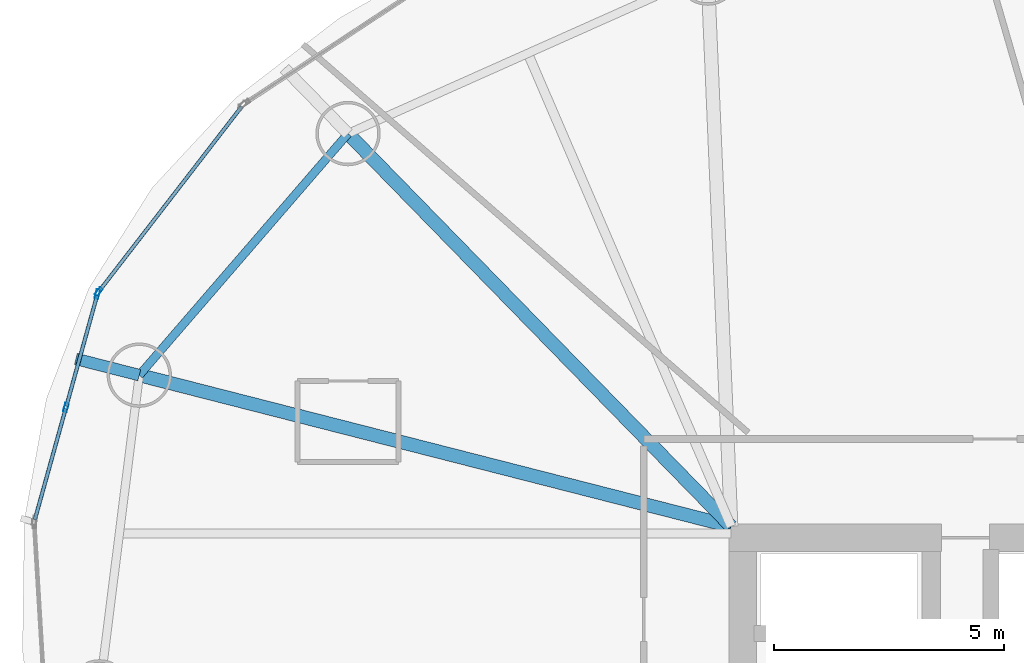
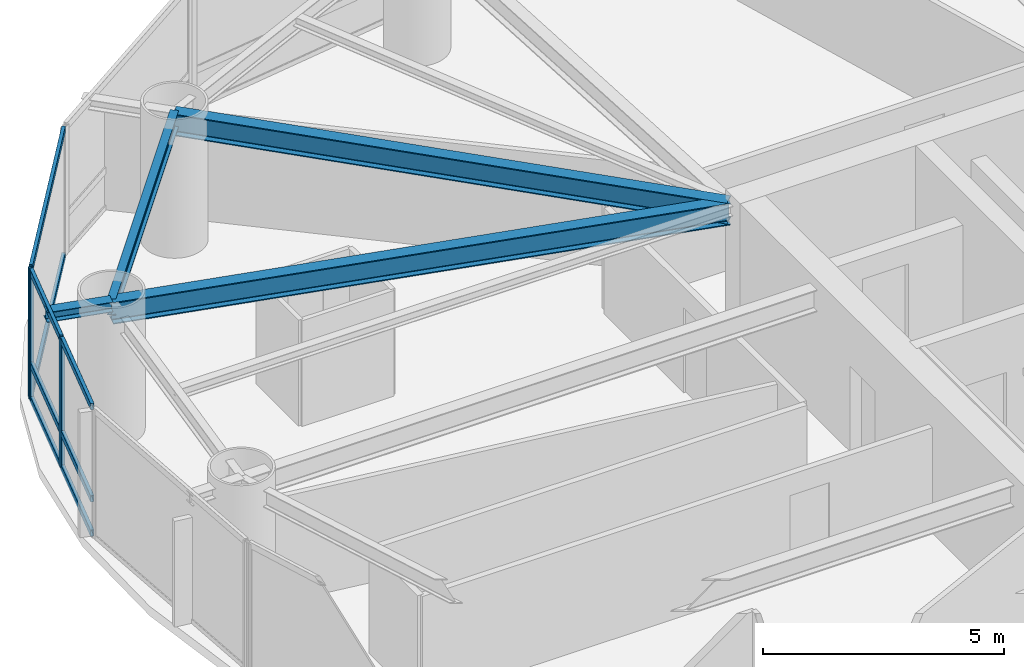
# One storey, part 11 of 22: 11 members, 4 beams, 2 elements without a shape of their own.
"""IFC4 building model written with IfcOpenShell, lengths in metres."""

from ifc_helpers import new_model, si_unit, direction, frame, origin, origin_2d, place, context, subcontext, project, spatial, hollow_rectangle, i_section, extrude, material, layer, layer_set, material_profile, profile_set, type_object, element, aggregate, save


model = new_model("IFC4")

# Units and contexts
model_context = context("Model", 3, precision=1e-05, world=origin(), true_north=direction((0.0, 1.0)))
body_context = subcontext(model_context, "Body", "Model", "MODEL_VIEW")
ifc_project = project(units=[si_unit("LENGTHUNIT", "METRE"), si_unit("AREAUNIT", "SQUARE_METRE"), si_unit("VOLUMEUNIT", "CUBIC_METRE"), si_unit("PLANEANGLEUNIT", "RADIAN"), si_unit("MASSUNIT", "GRAM", prefix="KILO")], contexts=[model_context])

# Site, building, storey
site_placement = place(None, origin())
site = spatial("IfcSite", under=ifc_project, at=site_placement, CompositionType="ELEMENT")
building_placement = place(site_placement, origin())
building = spatial("IfcBuilding", under=site, at=building_placement, Name="Bramvorn Convention Spire", CompositionType="ELEMENT")
storey_placement = place(building_placement, frame((0.0, 0.0, 137.800048828125)))
storey = spatial("IfcBuildingStorey", under=building, at=storey_placement, Name="L34", CompositionType="ELEMENT", Elevation=137.800048828125)

# Beams
ifc_material_1 = material(Name="Steel CSA G40.21 Grade 350 (350W)", Category="steel")
ifc_material_profile_1 = material_profile(ifc_material_1, i_section(OverallWidth=0.25390625, OverallDepth=0.2529296875, WebThickness=0.008544921875, FlangeThickness=0.01416015625, FilletRadius=0.011962890625, at=origin_2d()))
ifc_profile_set_1 = profile_set([ifc_material_profile_1], Name="Steel CSA G40.21 Grade 350 (350W) - W250X73")
beam_type_1 = type_object("IfcBeamType", Name="BM-W250X73", PredefinedType="BEAM", material=ifc_profile_set_1)
beam_1_placement = place(storey_placement, frame((13.88232421875, 36.73779296875, 3.133544921875), z_axis=(-0.968866904514, 0.247582150684, 0.0), x_axis=(-0.247582150684, -0.968866904514, 0.0)))
element("IfcBeam", 1, at=beam_1_placement, inside=storey, type_object=beam_type_1, Name="L34 slab-edge cantilever tip beam MC09", PredefinedType="BEAM", context=body_context, shape_type="SweptSolid", body=[
    extrude(i_section(OverallWidth=0.25390625, OverallDepth=0.2529296875, WebThickness=0.008544921875, FlangeThickness=0.01416015625, FilletRadius=0.011962890625, at=origin_2d()), origin(), (0.0, 0.0, 1.0), 1.421875),
])
ifc_material_profile_2 = material_profile(ifc_material_1, i_section(OverallWidth=0.180908203125, OverallDepth=0.4169921875, WebThickness=0.010986328125, FlangeThickness=0.018310546875, FilletRadius=0.01611328125, at=origin_2d()))
ifc_profile_set_2 = profile_set([ifc_material_profile_2], Name="Steel CSA G40.21 Grade 350 (350W) - W410X85")
beam_type_2 = type_object("IfcBeamType", Name="BM-W410X85", PredefinedType="JOIST", material=ifc_profile_set_2)
beam_2_placement = place(storey_placement, frame((18.420166015625, 41.9892578125, 3.051513671875), z_axis=(-0.653824993824, -0.756645807132, 0.0), x_axis=(0.756645807132, -0.653824993824, 0.0)))
element("IfcBeam", 2, at=beam_2_placement, inside=storey, type_object=beam_type_2, Name="L34 mega-column ring beam 08", PredefinedType="JOIST", context=body_context, shape_type="SweptSolid", body=[
    extrude(i_section(OverallWidth=0.180908203125, OverallDepth=0.4169921875, WebThickness=0.010986328125, FlangeThickness=0.018310546875, FilletRadius=0.01611328125, at=origin_2d()), origin(), (0.0, 0.0, 1.0), 6.9404296875),
])
ifc_material_profile_3 = material_profile(ifc_material_1, i_section(OverallWidth=0.2919921875, OverallDepth=0.551025390625, WebThickness=0.01513671875, FlangeThickness=0.0244140625, FilletRadius=0.01904296875, at=origin_2d()))
ifc_profile_set_3 = profile_set([ifc_material_profile_3], Name="Steel CSA G40.21 Grade 350 (350W) - W530X182")
beam_type_3 = type_object("IfcBeamType", Name="BM-W530X182", PredefinedType="BEAM", material=ifc_profile_set_3)
beam_3_placement = place(storey_placement, frame((26.75, 33.449951171875, 2.984375), z_axis=(-0.698272445638, 0.715832097397, 0.0), x_axis=(-0.715832097397, -0.698272445638, 0.0)))
element("IfcBeam", 3, at=beam_3_placement, inside=storey, type_object=beam_type_3, Name="L34 radial floor girder MC08", PredefinedType="BEAM", context=body_context, shape_type="SweptSolid", body=[
    extrude(i_section(OverallWidth=0.2919921875, OverallDepth=0.551025390625, WebThickness=0.01513671875, FlangeThickness=0.0244140625, FilletRadius=0.01904296875, at=origin_2d()), origin(), (0.0, 0.0, 1.0), 11.92919921875),
])
beam_4_placement = place(storey_placement, frame((26.75, 33.449951171875, 2.984375), z_axis=(-0.968872976577, 0.247558387576, 0.0), x_axis=(-0.247558387576, -0.968872976577, 0.0)))
element("IfcBeam", 4, at=beam_4_placement, inside=storey, type_object=beam_type_3, Name="L34 radial floor girder MC09", PredefinedType="BEAM", context=body_context, shape_type="SweptSolid", body=[
    extrude(i_section(OverallWidth=0.2919921875, OverallDepth=0.551025390625, WebThickness=0.01513671875, FlangeThickness=0.0244140625, FilletRadius=0.01904296875, at=origin_2d()), origin(), (0.0, 0.0, 1.0), 13.281005859375),
])

# Curtain wall, member
ifc_material_2 = material(Name="Anodised Bronze Unitised Curtain Wall", Category="aluminium")
ifc_layer = layer(ifc_material_2, 0.179931640625)
ifc_layer_set = layer_set([ifc_layer], Name="Anodised Bronze Unitised Curtain Wall - CW-HTL-FRIT")
curtain_wall_type = type_object("IfcCurtainWallType", Name="CW-HTL-FRIT", PredefinedType="USERDEFINED", material=ifc_layer_set)
curtain_wall_1_placement = place(storey_placement, origin())
curtain_wall_1 = element("IfcCurtainWall", 5, at=curtain_wall_1_placement, inside=storey, type_object=curtain_wall_type, Name="L34 fritted glass curtain wall 12", ObjectType="UNITISED CURTAIN WALL", PredefinedType="USERDEFINED")
ifc_material_3 = material(Name="Anodised Bronze Aluminium 6063-T6", Category="aluminium")
ifc_material_profile_4 = material_profile(ifc_material_3, hollow_rectangle(XDim=0.080078125, YDim=0.199951171875, WallThickness=0.00390625, InnerFilletRadius=0.0009765625, OuterFilletRadius=0.00390625, at=origin_2d()))
ifc_profile_set_4 = profile_set([ifc_material_profile_4], Name="Anodised Bronze Aluminium 6063-T6 - CWM80X200")
member_type_1 = type_object("IfcMemberType", Name="CW-MUL-180", PredefinedType="MULLION", material=ifc_profile_set_4)
member_1_placement = place(storey_placement, frame((13.0, 38.552001953125, 0.0), z_axis=(0.0, 0.0, 1.0), x_axis=(-0.791450733488, 0.611232964148, 0.0)))
member_1 = element("IfcMember", 6, at=member_1_placement, type_object=member_type_1, Name="CW2 mullion 1", PredefinedType="MULLION", context=body_context, shape_type="SweptSolid", body=[
    extrude(hollow_rectangle(XDim=0.080078125, YDim=0.199951171875, WallThickness=0.00390625, InnerFilletRadius=0.0009765625, OuterFilletRadius=0.00390625, at=origin_2d()), origin(), (0.0, 0.0, 1.0), 3.260009765625),
])

# Curtain wall, members
curtain_wall_2_placement = place(storey_placement, origin())
curtain_wall_2 = element("IfcCurtainWall", 7, at=curtain_wall_2_placement, inside=storey, type_object=curtain_wall_type, Name="L34 fritted glass curtain wall 13", ObjectType="UNITISED CURTAIN WALL", PredefinedType="USERDEFINED")
member_2_placement = place(storey_placement, frame((12.289306640625, 36.035400390625, 0.0), z_axis=(0.0, 0.0, 1.0), x_axis=(-0.963527322943, 0.267609973548, 0.0)))
member_2 = element("IfcMember", 8, at=member_2_placement, type_object=member_type_1, Name="CW2 mullion 2", PredefinedType="MULLION", context=body_context, shape_type="SweptSolid", body=[
    extrude(hollow_rectangle(XDim=0.080078125, YDim=0.199951171875, WallThickness=0.00390625, InnerFilletRadius=0.0009765625, OuterFilletRadius=0.00390625, at=origin_2d()), origin(), (0.0, 0.0, 1.0), 3.260009765625),
])
member_3_placement = place(storey_placement, frame((12.9736328125, 38.49951171875, 0.0), z_axis=(0.0, 0.0, 1.0), x_axis=(-0.963527322943, 0.267609973548, 0.0)))
member_3 = element("IfcMember", 9, at=member_3_placement, type_object=member_type_1, Name="CW2 mullion 3", PredefinedType="MULLION", context=body_context, shape_type="SweptSolid", body=[
    extrude(hollow_rectangle(XDim=0.080078125, YDim=0.199951171875, WallThickness=0.00390625, InnerFilletRadius=0.0009765625, OuterFilletRadius=0.00390625, at=origin_2d()), origin(), (0.0, 0.0, 1.0), 3.260009765625),
])

# Member
ifc_material_profile_5 = material_profile(ifc_material_3, hollow_rectangle(XDim=0.080078125, YDim=0.159912109375, WallThickness=0.00390625, InnerFilletRadius=0.0009765625, OuterFilletRadius=0.00390625, at=origin_2d()))
ifc_profile_set_5 = profile_set([ifc_material_profile_5], Name="Anodised Bronze Aluminium 6063-T6 - CWT80X160")
member_type_2 = type_object("IfcMemberType", Name="CW-TRN-150", PredefinedType="USERDEFINED", material=ifc_profile_set_5)
member_4_placement = place(storey_placement, frame((13.018310546875, 38.57568359375, 0.030029296875), z_axis=(0.611231643843, 0.791451753151, 0.0), x_axis=(-0.791451753151, 0.611231643843, 0.0)))
member_4 = element("IfcMember", 10, at=member_4_placement, type_object=member_type_2, Name="CW2 transom 1.1", ObjectType="TRANSOM", PredefinedType="USERDEFINED", context=body_context, shape_type="SweptSolid", body=[
    extrude(hollow_rectangle(XDim=0.080078125, YDim=0.159912109375, WallThickness=0.00390625, InnerFilletRadius=0.0009765625, OuterFilletRadius=0.00390625, at=origin_2d()), origin(), (0.0, 0.0, 1.0), 5.05419921875),
])

member_5_placement = place(storey_placement, frame((13.018310546875, 38.57568359375, 3.22998046875), z_axis=(0.611231643843, 0.791451753151, 0.0), x_axis=(-0.791451753151, 0.611231643843, 0.0)))
member_5 = element("IfcMember", 11, at=member_5_placement, type_object=member_type_2, Name="CW2 transom 1.2", ObjectType="TRANSOM", PredefinedType="USERDEFINED", context=body_context, shape_type="SweptSolid", body=[
    extrude(hollow_rectangle(XDim=0.080078125, YDim=0.159912109375, WallThickness=0.00390625, InnerFilletRadius=0.0009765625, OuterFilletRadius=0.00390625, at=origin_2d()), origin(), (0.0, 0.0, 1.0), 5.05419921875),
])

aggregate(curtain_wall_1, [member_1, member_4, member_5])

member_6_placement = place(storey_placement, frame((11.613037109375, 33.6005859375, 0.030029296875), z_axis=(0.267598479943, 0.963530515102, 0.0), x_axis=(-0.963530515102, 0.267598479943, 0.0)))
member_6 = element("IfcMember", 12, at=member_6_placement, type_object=member_type_2, Name="CW2 transom 1.1", ObjectType="TRANSOM", PredefinedType="USERDEFINED", context=body_context, shape_type="SweptSolid", body=[
    extrude(hollow_rectangle(XDim=0.080078125, YDim=0.159912109375, WallThickness=0.00390625, InnerFilletRadius=0.0009765625, OuterFilletRadius=0.00390625, at=origin_2d()), origin(), (0.0, 0.0, 1.0), 2.4970703125),
])

member_7_placement = place(storey_placement, frame((11.613037109375, 33.6005859375, 0.89990234375), z_axis=(0.267598479943, 0.963530515102, 0.0), x_axis=(-0.963530515102, 0.267598479943, 0.0)))
member_7 = element("IfcMember", 13, at=member_7_placement, type_object=member_type_2, Name="CW2 transom 1.2", ObjectType="TRANSOM", PredefinedType="USERDEFINED", context=body_context, shape_type="SweptSolid", body=[
    extrude(hollow_rectangle(XDim=0.080078125, YDim=0.159912109375, WallThickness=0.00390625, InnerFilletRadius=0.0009765625, OuterFilletRadius=0.00390625, at=origin_2d()), origin(), (0.0, 0.0, 1.0), 2.4970703125),
])

member_8_placement = place(storey_placement, frame((11.613037109375, 33.6005859375, 3.22998046875), z_axis=(0.267598479943, 0.963530515102, 0.0), x_axis=(-0.963530515102, 0.267598479943, 0.0)))
member_8 = element("IfcMember", 14, at=member_8_placement, type_object=member_type_2, Name="CW2 transom 1.3", ObjectType="TRANSOM", PredefinedType="USERDEFINED", context=body_context, shape_type="SweptSolid", body=[
    extrude(hollow_rectangle(XDim=0.080078125, YDim=0.159912109375, WallThickness=0.00390625, InnerFilletRadius=0.0009765625, OuterFilletRadius=0.00390625, at=origin_2d()), origin(), (0.0, 0.0, 1.0), 2.4970703125),
])

member_9_placement = place(storey_placement, frame((12.29736328125, 36.064453125, 0.030029296875), z_axis=(0.267598479943, 0.963530515102, 0.0), x_axis=(-0.963530515102, 0.267598479943, 0.0)))
member_9 = element("IfcMember", 15, at=member_9_placement, type_object=member_type_2, Name="CW2 transom 2.1", ObjectType="TRANSOM", PredefinedType="USERDEFINED", context=body_context, shape_type="SweptSolid", body=[
    extrude(hollow_rectangle(XDim=0.080078125, YDim=0.159912109375, WallThickness=0.00390625, InnerFilletRadius=0.0009765625, OuterFilletRadius=0.00390625, at=origin_2d()), origin(), (0.0, 0.0, 1.0), 2.4970703125),
])

member_10_placement = place(storey_placement, frame((12.29736328125, 36.064453125, 0.89990234375), z_axis=(0.267598479943, 0.963530515102, 0.0), x_axis=(-0.963530515102, 0.267598479943, 0.0)))
member_10 = element("IfcMember", 16, at=member_10_placement, type_object=member_type_2, Name="CW2 transom 2.2", ObjectType="TRANSOM", PredefinedType="USERDEFINED", context=body_context, shape_type="SweptSolid", body=[
    extrude(hollow_rectangle(XDim=0.080078125, YDim=0.159912109375, WallThickness=0.00390625, InnerFilletRadius=0.0009765625, OuterFilletRadius=0.00390625, at=origin_2d()), origin(), (0.0, 0.0, 1.0), 2.4970703125),
])

member_11_placement = place(storey_placement, frame((12.29736328125, 36.064453125, 3.22998046875), z_axis=(0.267598479943, 0.963530515102, 0.0), x_axis=(-0.963530515102, 0.267598479943, 0.0)))
member_11 = element("IfcMember", 17, at=member_11_placement, type_object=member_type_2, Name="CW2 transom 2.3", ObjectType="TRANSOM", PredefinedType="USERDEFINED", context=body_context, shape_type="SweptSolid", body=[
    extrude(hollow_rectangle(XDim=0.080078125, YDim=0.159912109375, WallThickness=0.00390625, InnerFilletRadius=0.0009765625, OuterFilletRadius=0.00390625, at=origin_2d()), origin(), (0.0, 0.0, 1.0), 2.4970703125),
])

aggregate(curtain_wall_2, [member_2, member_3, member_6, member_7, member_8, member_9, member_10, member_11])

save(model, "model.ifc")
